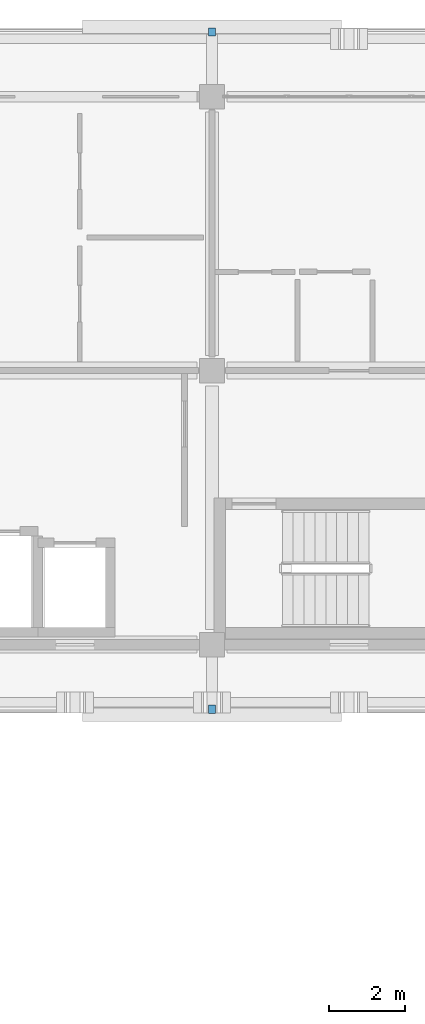
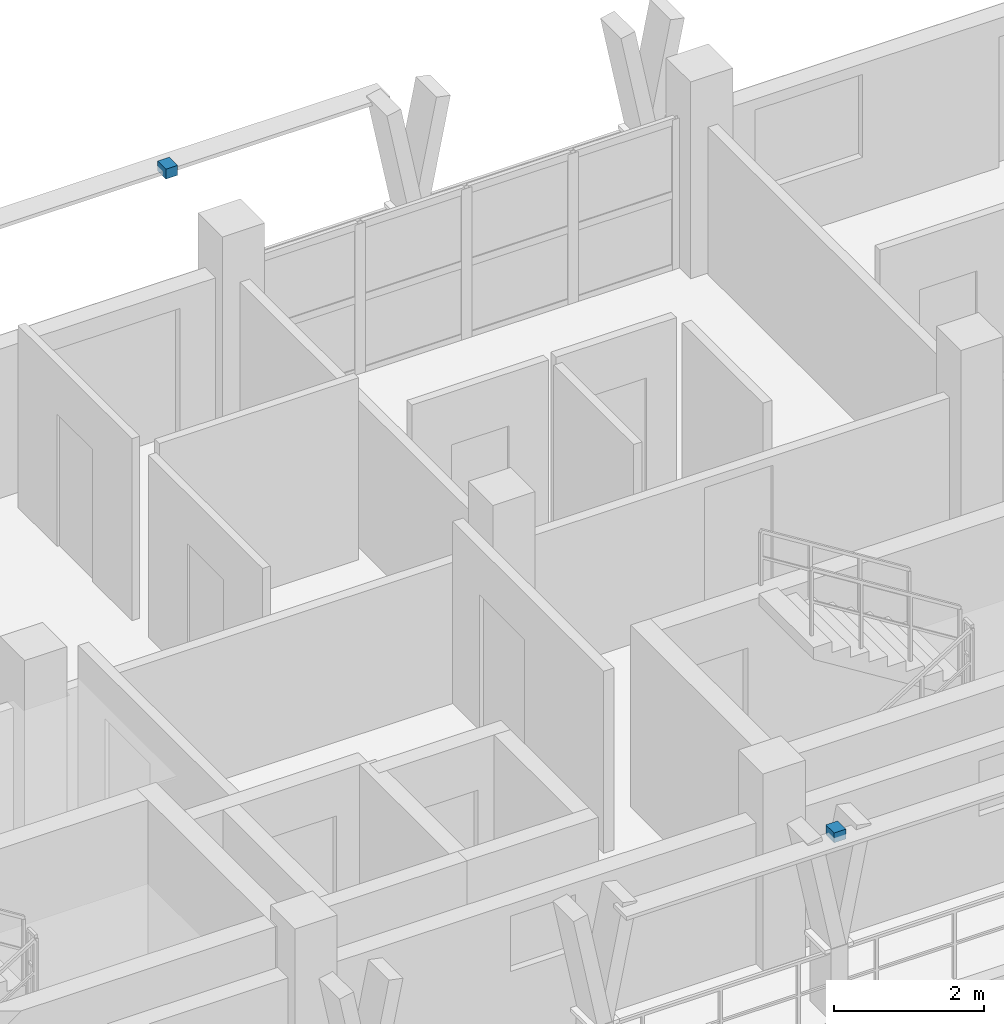
# One storey, part 140 of 157: 2 discrete accessories.
"""IFC4 building model written with IfcOpenShell, lengths in metres."""

from ifc_helpers import new_model, si_unit, direction, frame, origin, origin_2d, place, context, subcontext, project, spatial, rectangle, extrude, material, type_object, element, save


model = new_model("IFC4")

# Units and contexts
model_context = context("Model", 3, precision=1e-05, world=origin(), true_north=direction((0.0, 1.0)))
body_context = subcontext(model_context, "Body", "Model", "MODEL_VIEW")
ifc_project = project(units=[si_unit("LENGTHUNIT", "METRE"), si_unit("AREAUNIT", "SQUARE_METRE"), si_unit("VOLUMEUNIT", "CUBIC_METRE"), si_unit("PLANEANGLEUNIT", "RADIAN"), si_unit("MASSUNIT", "GRAM", prefix="KILO")], contexts=[model_context])

# Site, building, storey
site_placement = place(None, origin())
site = spatial("IfcSite", under=ifc_project, at=site_placement, CompositionType="ELEMENT")
building_placement = place(site_placement, origin())
building = spatial("IfcBuilding", under=site, at=building_placement, Name="Suanplinth Sawtooth Commons", CompositionType="ELEMENT")
storey_placement = place(building_placement, frame((0.0, 0.0, 9.0)))
storey = spatial("IfcBuildingStorey", under=building, at=storey_placement, Name="L02", CompositionType="ELEMENT", Elevation=9.0)

# Discrete accessories
ifc_material = material(Name="Stainless steel Grade 316", Category="steel")
discrete_accessory_type = type_object("IfcDiscreteAccessoryType", Name="ACC-01", PredefinedType="BRACKET", material=ifc_material)
for number, where, z_axis, x_axis, name in (
    (1, (57.60009765625, 124.10009765625, 2.89990234375), (0.0, 0.0, 1.0), (1.0, 0.0, 0.0), "Louvre Fixing Bracket L02-A-1"),
    (2, (57.60009765625, 106.300048828125, 2.89990234375), (0.0, 0.0, 1.0), (1.0, 0.0, 0.0), "Louvre Fixing Bracket L02-A-2"),
):
    element("IfcDiscreteAccessory", number, at=place(storey_placement, frame(where, z_axis=z_axis, x_axis=x_axis)), inside=storey, type_object=discrete_accessory_type, Name=name, PredefinedType="BRACKET", context=body_context, shape_type="SweptSolid", body=[
        extrude(rectangle(XDim=0.179931640625, YDim=0.219970703125, at=origin_2d()), origin(), (0.0, 0.0, 1.0), 0.159912109375),
    ])

save(model, "model.ifc")
